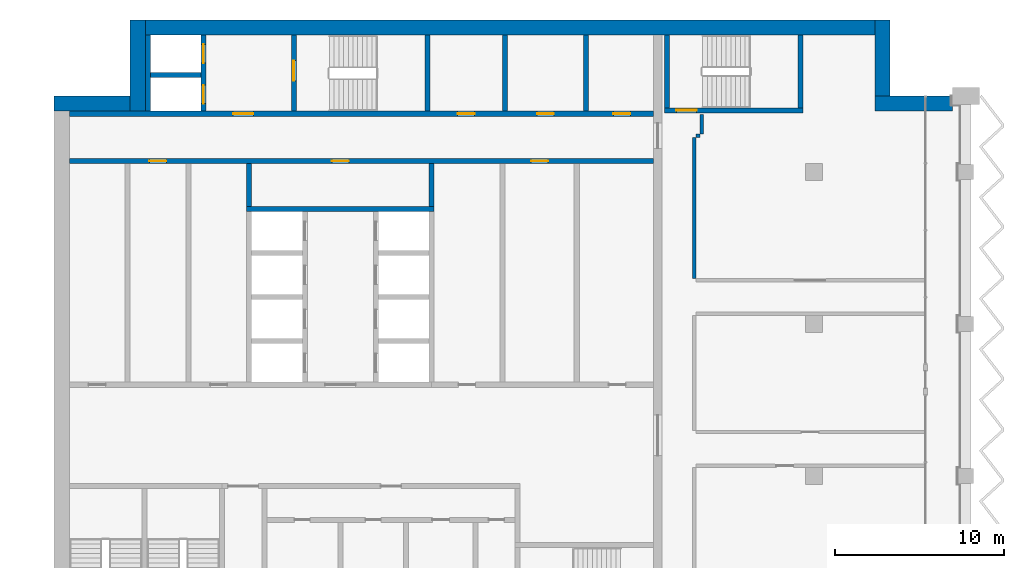
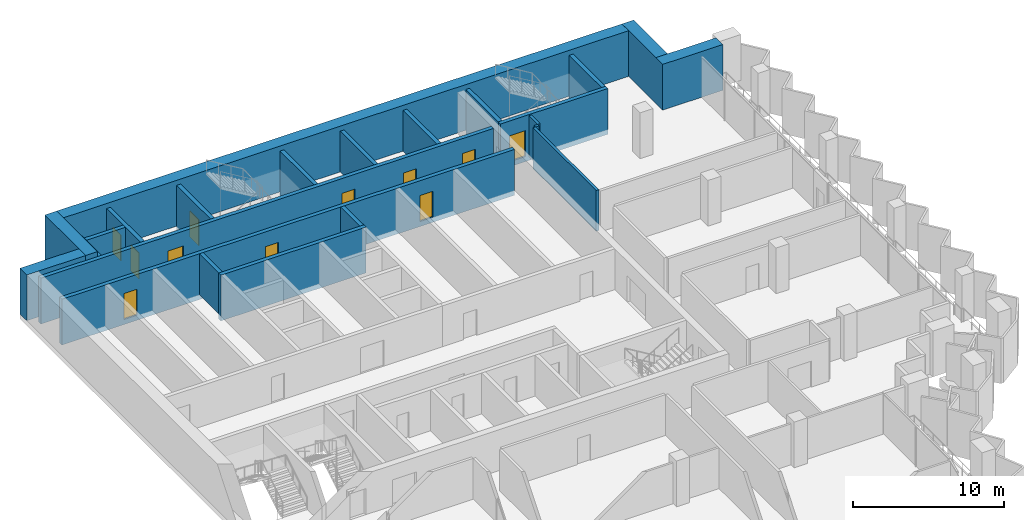
# One storey, part 10 of 16: 23 walls, 11 doors, 11 openings.
"""IFC4 building model written with IfcOpenShell, lengths in metres."""

from ifc_helpers import new_model, si_unit, direction, frame, frame_2d, origin, place, context, subcontext, project, spatial, rectangle, extrude, material, layer, layer_set, type_object, element, fill, save


model = new_model("IFC4")

# Units and contexts
model_context = context("Model", 3, precision=1e-05, world=origin(), true_north=direction((0.0, 1.0)))
body_context = subcontext(model_context, "Body", "Model", "MODEL_VIEW")
ifc_project = project(units=[si_unit("LENGTHUNIT", "METRE"), si_unit("AREAUNIT", "SQUARE_METRE"), si_unit("VOLUMEUNIT", "CUBIC_METRE"), si_unit("PLANEANGLEUNIT", "RADIAN"), si_unit("MASSUNIT", "GRAM", prefix="KILO")], contexts=[model_context])

# Site, building, storey
site_placement = place(None, origin())
site = spatial("IfcSite", under=ifc_project, at=site_placement, CompositionType="ELEMENT")
building_placement = place(site_placement, origin())
building = spatial("IfcBuilding", under=site, at=building_placement, Name="Hunhe Ridgeline Campus", CompositionType="ELEMENT")
storey_placement = place(building_placement, frame((0.0, 0.0, 242.89990234375)))
storey = spatial("IfcBuildingStorey", under=building, at=storey_placement, Name="L62", CompositionType="ELEMENT", Elevation=242.89990234375)

# Walls
ifc_material_1 = material(Name="Masonry concrete blockwork", Category="masonry")
ifc_layer_1 = layer(ifc_material_1, 0.300048828125)
ifc_layer_set_1 = layer_set([ifc_layer_1], Name="Core room partition 300 concrete block")
wall_type_1 = type_object("IfcWallType", Name="Core room partition 300 concrete block", PredefinedType="PARTITIONING", material=ifc_layer_set_1)
for number, where, z_axis, x_axis, name in (
    (1, (11.550048828125, 87.949951171875, 0.0), (0.0, 0.0, 1.0), (0.0, 1.0, 0.0), "L62 core partition 31"),
    (2, (22.35009765625, 87.949951171875, 0.0), (0.0, 0.0, 1.0), (0.0, 1.0, 0.0), "L62 core partition 41"),
):
    element("IfcWall", number, at=place(storey_placement, frame(where, z_axis=z_axis, x_axis=x_axis)), inside=storey, type_object=wall_type_1, Name=name, PredefinedType="PARTITIONING", context=body_context, shape_type="SweptSolid", body=[
        extrude(rectangle(XDim=2.550048828125, YDim=0.300048828125, at=frame_2d((1.27490234375, 0.0))), origin(), (0.0, 0.0, 1.0), 3.300048828125),
    ])
for number, where, z_axis, x_axis, name in (
    (3, (26.699951171875, 93.60009765625, 0.0), (0.0, 0.0, 1.0), (0.0, 1.0, 0.0), "L62 core partition 45"),
    (4, (31.5, 93.60009765625, 0.0), (0.0, 0.0, 1.0), (0.0, 1.0, 0.0), "L62 core partition 49"),
):
    element("IfcWall", number, at=place(storey_placement, frame(where, z_axis=z_axis, x_axis=x_axis)), inside=storey, type_object=wall_type_1, Name=name, PredefinedType="PARTITIONING", context=body_context, shape_type="SweptSolid", body=[
        extrude(rectangle(XDim=4.5, YDim=0.300048828125, at=frame_2d((2.25, 0.0))), origin(), (0.0, 0.0, 1.0), 3.300048828125),
    ])
ifc_material_2 = material(Name="Gypsum board partition")
ifc_layer_2 = layer(ifc_material_2, 0.199951171875)
ifc_layer_set_2 = layer_set([ifc_layer_2], Name="Corridor partition 200 gypsum board on steel studs")
wall_type_2 = type_object("IfcWallType", Name="Corridor partition 200 gypsum board on steel studs", PredefinedType="PARTITIONING", material=ifc_layer_set_2)
wall_1_placement = place(storey_placement, frame((38.25, 92.14990234375, 0.0), z_axis=(0.0, 0.0, 1.0), x_axis=(-1.0, 0.0, 0.0)))
element("IfcWall", 5, at=wall_1_placement, inside=storey, type_object=wall_type_2, Name="F-L62-wall-032", PredefinedType="PARTITIONING", context=body_context, shape_type="SweptSolid", body=[
    extrude(rectangle(XDim=0.25, YDim=0.199951171875, at=frame_2d((0.125, 0.0))), origin(), (0.0, 0.0, 1.0), 3.300048828125),
])
wall_2_placement = place(storey_placement, frame((37.89990234375, 92.050048828125, 0.0), z_axis=(0.0, 0.0, 1.0), x_axis=(0.0, -1.0, 0.0)))
element("IfcWall", 6, at=wall_2_placement, inside=storey, type_object=wall_type_2, Name="F-L62-wall-041", PredefinedType="PARTITIONING", context=body_context, shape_type="SweptSolid", body=[
    extrude(rectangle(XDim=8.35009765625, YDim=0.199951171875, at=frame_2d((4.175048828125, 0.0))), origin(), (0.0, 0.0, 1.0), 3.300048828125),
])
wall_3_placement = place(storey_placement, frame((38.35009765625, 93.39599609375, 0.0), z_axis=(0.0, 0.0, 1.0), x_axis=(0.0, -1.0, 0.0)))
element("IfcWall", 7, at=wall_3_placement, inside=storey, type_object=wall_type_2, Name="F-L62-wall-042", PredefinedType="PARTITIONING", context=body_context, shape_type="SweptSolid", body=[
    extrude(rectangle(XDim=1.14599609375, YDim=0.199951171875, at=frame_2d((0.572998046875, 0.0))), origin(), (0.0, 0.0, 1.0), 3.300048828125),
])

# Wall, openings, doors
ifc_material_3 = material(Name="Concrete C50", Category="concrete")
ifc_layer_3 = layer(ifc_material_3, 0.300048828125)
ifc_layer_set_3 = layer_set([ifc_layer_3], Name="Lobby wall 300 reinforced concrete C50")
wall_type_3 = type_object("IfcWallType", Name="Lobby wall 300 reinforced concrete C50", PredefinedType="SOLIDWALL", material=ifc_layer_set_3)
wall_4_placement = place(storey_placement, frame((0.89990234375, 90.64990234375, -0.39990234375), z_axis=(0.0, 0.0, 1.0), x_axis=(1.0, 0.0, 0.0)))
wall_4 = element("IfcWall", 8, at=wall_4_placement, inside=storey, type_object=wall_type_3, Name="L62 core wall 19", PredefinedType="SOLIDWALL", context=body_context, shape_type="SweptSolid", body=[
    extrude(rectangle(XDim=34.60009765625, YDim=0.300048828125, at=frame_2d((17.300048828125, 0.0))), origin(), (0.0, 0.0, 1.0), 3.699951171875),
])
opening_1_placement = place(wall_4_placement, frame((15.550048828125, 0.0, 0.39990234375)))
opening_1 = element("IfcOpeningElement", 9, at=opening_1_placement, cuts=wall_4, Name="Opening CD26", PredefinedType="OPENING", context=body_context, shape_type="SweptSolid", body=[
    extrude(rectangle(XDim=1.0, YDim=2.10009765625, at=frame_2d((0.5, 1.050048828125))), frame((0.0, 0.14990234375, 0.0), z_axis=(0.0, -1.0, 0.0), x_axis=(1.0, 0.0, 0.0)), (0.0, 0.0, 1.0), 0.300048828125),
])
opening_2_placement = place(wall_4_placement, frame((4.75, 0.0, 0.39990234375)))
opening_2 = element("IfcOpeningElement", 10, at=opening_2_placement, cuts=wall_4, Name="Opening CD40", PredefinedType="OPENING", context=body_context, shape_type="SweptSolid", body=[
    extrude(rectangle(XDim=1.0, YDim=2.10009765625, at=frame_2d((0.5, 1.050048828125))), frame((0.0, 0.14990234375, 0.0), z_axis=(0.0, -1.0, 0.0), x_axis=(1.0, 0.0, 0.0)), (0.0, 0.0, 1.0), 0.300048828125),
])
opening_3_placement = place(wall_4_placement, frame((27.35009765625, 0.0, 0.39990234375)))
opening_3 = element("IfcOpeningElement", 11, at=opening_3_placement, cuts=wall_4, Name="Opening CD33", PredefinedType="OPENING", context=body_context, shape_type="SweptSolid", body=[
    extrude(rectangle(XDim=1.0, YDim=2.10009765625, at=frame_2d((0.5, 1.050048828125))), frame((0.0, 0.14990234375, 0.0), z_axis=(0.0, -1.0, 0.0), x_axis=(1.0, 0.0, 0.0)), (0.0, 0.0, 1.0), 0.300048828125),
])
ifc_material_4 = material(Name="Solid core timber door leaf", Category="wood")
door_type_1 = type_object("IfcDoorType", Name="Timber door 1000x2100", OperationType="SINGLE_SWING_LEFT", PredefinedType="DOOR", material=ifc_material_4)
door_1_placement = place(opening_1_placement, frame((1.0, 0.0, 0.0), z_axis=(0.0, 0.0, 1.0), x_axis=(-1.0, 0.0, 0.0)))
door_1 = element("IfcDoor", 12, at=door_1_placement, inside=storey, type_object=door_type_1, Name="L62 door NR-0", OperationType="SINGLE_SWING_RIGHT", OverallHeight=2.10009765625, OverallWidth=1.0, PredefinedType="DOOR", context=body_context, shape_type="SweptSolid", body=[
    extrude(rectangle(XDim=1.0, YDim=2.10009765625, at=frame_2d((0.5, 1.050048828125))), frame((0.0, 0.02490234375, 0.0), z_axis=(0.0, -1.0, 0.0), x_axis=(1.0, 0.0, 0.0)), (0.0, 0.0, 1.0), 0.050048828125),
])
fill(opening_1, door_1)
door_2_placement = place(opening_2_placement, frame((1.0, 0.0, 0.0), z_axis=(0.0, 0.0, 1.0), x_axis=(-1.0, 0.0, 0.0)))
door_2 = element("IfcDoor", 13, at=door_2_placement, inside=storey, type_object=door_type_1, Name="L62 door VD-LR1", OperationType="SINGLE_SWING_RIGHT", OverallHeight=2.10009765625, OverallWidth=1.0, PredefinedType="DOOR", context=body_context, shape_type="SweptSolid", body=[
    extrude(rectangle(XDim=1.0, YDim=2.10009765625, at=frame_2d((0.5, 1.050048828125))), frame((0.0, 0.02490234375, 0.0), z_axis=(0.0, -1.0, 0.0), x_axis=(1.0, 0.0, 0.0)), (0.0, 0.0, 1.0), 0.050048828125),
])
fill(opening_2, door_2)
door_3_placement = place(opening_3_placement, frame((1.0, 0.0, 0.0), z_axis=(0.0, 0.0, 1.0), x_axis=(-1.0, 0.0, 0.0)))
door_3 = element("IfcDoor", 14, at=door_3_placement, inside=storey, type_object=door_type_1, Name="L62 door ES1", OperationType="SINGLE_SWING_RIGHT", OverallHeight=2.10009765625, OverallWidth=1.0, PredefinedType="DOOR", context=body_context, shape_type="SweptSolid", body=[
    extrude(rectangle(XDim=1.0, YDim=2.10009765625, at=frame_2d((0.5, 1.050048828125))), frame((0.0, 0.02490234375, 0.0), z_axis=(0.0, -1.0, 0.0), x_axis=(1.0, 0.0, 0.0)), (0.0, 0.0, 1.0), 0.050048828125),
])
fill(opening_3, door_3)

# Wall
ifc_layer_4 = layer(ifc_material_3, 0.300048828125)
ifc_layer_set_4 = layer_set([ifc_layer_4], Name="Shaft wall 300 reinforced concrete C50")
wall_type_4 = type_object("IfcWallType", Name="Shaft wall 300 reinforced concrete C50", PredefinedType="SOLIDWALL", material=ifc_layer_set_4)
wall_5_placement = place(storey_placement, frame((11.39990234375, 87.800048828125, -0.39990234375), z_axis=(0.0, 0.0, 1.0), x_axis=(1.0, 0.0, 0.0)))
element("IfcWall", 15, at=wall_5_placement, inside=storey, type_object=wall_type_4, Name="L62 core wall 18", PredefinedType="SOLIDWALL", context=body_context, shape_type="SweptSolid", body=[
    extrude(rectangle(XDim=11.10009765625, YDim=0.300048828125, at=frame_2d((5.550048828125, 0.0))), origin(), (0.0, 0.0, 1.0), 3.699951171875),
])

# Wall, openings, doors
wall_6_placement = place(storey_placement, frame((0.89990234375, 93.449951171875, -0.39990234375), z_axis=(0.0, 0.0, 1.0), x_axis=(1.0, 0.0, 0.0)))
wall_6 = element("IfcWall", 16, at=wall_6_placement, inside=storey, type_object=wall_type_4, Name="L62 core wall 20", PredefinedType="SOLIDWALL", context=body_context, shape_type="SweptSolid", body=[
    extrude(rectangle(XDim=34.60009765625, YDim=0.300048828125, at=frame_2d((17.300048828125, 0.0))), origin(), (0.0, 0.0, 1.0), 3.699951171875),
])
opening_4_placement = place(wall_6_placement, frame((9.699951171875, 0.0, 0.39990234375)))
opening_4 = element("IfcOpeningElement", 17, at=opening_4_placement, cuts=wall_6, Name="Opening CD3", PredefinedType="OPENING", context=body_context, shape_type="SweptSolid", body=[
    extrude(rectangle(XDim=1.199951171875, YDim=2.10009765625, at=frame_2d((0.60009765625, 1.050048828125))), frame((0.0, 0.14990234375, 0.0), z_axis=(0.0, -1.0, 0.0), x_axis=(1.0, 0.0, 0.0)), (0.0, 0.0, 1.0), 0.300048828125),
])
opening_5_placement = place(wall_6_placement, frame((23.0, 0.0, 0.39990234375)))
opening_5 = element("IfcOpeningElement", 18, at=opening_5_placement, cuts=wall_6, Name="Opening CD34", PredefinedType="OPENING", context=body_context, shape_type="SweptSolid", body=[
    extrude(rectangle(XDim=1.0, YDim=2.10009765625, at=frame_2d((0.5, 1.050048828125))), frame((0.0, 0.14990234375, 0.0), z_axis=(0.0, -1.0, 0.0), x_axis=(1.0, 0.0, 0.0)), (0.0, 0.0, 1.0), 0.300048828125),
])
opening_6_placement = place(wall_6_placement, frame((27.699951171875, 0.0, 0.39990234375)))
opening_6 = element("IfcOpeningElement", 19, at=opening_6_placement, cuts=wall_6, Name="Opening CD35", PredefinedType="OPENING", context=body_context, shape_type="SweptSolid", body=[
    extrude(rectangle(XDim=1.0, YDim=2.10009765625, at=frame_2d((0.5, 1.050048828125))), frame((0.0, 0.14990234375, 0.0), z_axis=(0.0, -1.0, 0.0), x_axis=(1.0, 0.0, 0.0)), (0.0, 0.0, 1.0), 0.300048828125),
])
opening_7_placement = place(wall_6_placement, frame((32.22509765625, 0.0, 0.39990234375)))
opening_7 = element("IfcOpeningElement", 20, at=opening_7_placement, cuts=wall_6, Name="Opening CD36", PredefinedType="OPENING", context=body_context, shape_type="SweptSolid", body=[
    extrude(rectangle(XDim=1.0, YDim=2.10009765625, at=frame_2d((0.5, 1.050048828125))), frame((0.0, 0.14990234375, 0.0), z_axis=(0.0, -1.0, 0.0), x_axis=(1.0, 0.0, 0.0)), (0.0, 0.0, 1.0), 0.300048828125),
])
ifc_material_5 = material(Name="Hollow metal fire door leaf")
door_type_2 = type_object("IfcDoorType", Name="Lobby door 1200x2100 FD60", OperationType="SINGLE_SWING_LEFT", PredefinedType="DOOR", material=ifc_material_5)
door_4_placement = place(opening_4_placement, frame((1.199951171875, 0.0, 0.0), z_axis=(0.0, 0.0, 1.0), x_axis=(-1.0, 0.0, 0.0)))
door_4 = element("IfcDoor", 21, at=door_4_placement, inside=storey, type_object=door_type_2, Name="L62 door FF-C1", OperationType="SINGLE_SWING_RIGHT", OverallHeight=2.10009765625, OverallWidth=1.199951171875, PredefinedType="DOOR", context=body_context, shape_type="SweptSolid", body=[
    extrude(rectangle(XDim=1.199951171875, YDim=2.10009765625, at=frame_2d((0.60009765625, 1.050048828125))), frame((0.0, 0.02490234375, 0.0), z_axis=(0.0, -1.0, 0.0), x_axis=(1.0, 0.0, 0.0)), (0.0, 0.0, 1.0), 0.050048828125),
])
fill(opening_4, door_4)
door_5_placement = place(opening_5_placement, origin())
door_5 = element("IfcDoor", 22, at=door_5_placement, inside=storey, type_object=door_type_1, Name="L62 door NB0", OperationType="SINGLE_SWING_LEFT", OverallHeight=2.10009765625, OverallWidth=1.0, PredefinedType="DOOR", context=body_context, shape_type="SweptSolid", body=[
    extrude(rectangle(XDim=1.0, YDim=2.10009765625, at=frame_2d((0.5, 1.050048828125))), frame((0.0, 0.02490234375, 0.0), z_axis=(0.0, -1.0, 0.0), x_axis=(1.0, 0.0, 0.0)), (0.0, 0.0, 1.0), 0.050048828125),
])
fill(opening_5, door_5)
door_6_placement = place(opening_6_placement, origin())
door_6 = element("IfcDoor", 23, at=door_6_placement, inside=storey, type_object=door_type_1, Name="L62 door NB1", OperationType="SINGLE_SWING_RIGHT", OverallHeight=2.10009765625, OverallWidth=1.0, PredefinedType="DOOR", context=body_context, shape_type="SweptSolid", body=[
    extrude(rectangle(XDim=1.0, YDim=2.10009765625, at=frame_2d((0.5, 1.050048828125))), frame((0.0, 0.02490234375, 0.0), z_axis=(0.0, -1.0, 0.0), x_axis=(1.0, 0.0, 0.0)), (0.0, 0.0, 1.0), 0.050048828125),
])
fill(opening_6, door_6)
door_7_placement = place(opening_7_placement, origin())
door_7 = element("IfcDoor", 24, at=door_7_placement, inside=storey, type_object=door_type_1, Name="L62 door NB2", OperationType="SINGLE_SWING_LEFT", OverallHeight=2.10009765625, OverallWidth=1.0, PredefinedType="DOOR", context=body_context, shape_type="SweptSolid", body=[
    extrude(rectangle(XDim=1.0, YDim=2.10009765625, at=frame_2d((0.5, 1.050048828125))), frame((0.0, 0.02490234375, 0.0), z_axis=(0.0, -1.0, 0.0), x_axis=(1.0, 0.0, 0.0)), (0.0, 0.0, 1.0), 0.050048828125),
])
fill(opening_7, door_7)

# Walls
wall_7_placement = place(storey_placement, frame((5.699951171875, 95.75, -0.39990234375), z_axis=(0.0, 0.0, 1.0), x_axis=(1.0, 0.0, 0.0)))
element("IfcWall", 25, at=wall_7_placement, inside=storey, type_object=wall_type_4, Name="L62 core wall 22", PredefinedType="SOLIDWALL", context=body_context, shape_type="SweptSolid", body=[
    extrude(rectangle(XDim=3.0, YDim=0.300048828125, at=frame_2d((1.5, 0.0))), origin(), (0.0, 0.0, 1.0), 3.699951171875),
])
wall_8_placement = place(storey_placement, frame((5.550048828125, 93.60009765625, -0.39990234375), z_axis=(0.0, 0.0, 1.0), x_axis=(0.0, 1.0, 0.0)))
element("IfcWall", 26, at=wall_8_placement, inside=storey, type_object=wall_type_4, Name="L62 core wall 25", PredefinedType="SOLIDWALL", context=body_context, shape_type="SweptSolid", body=[
    extrude(rectangle(XDim=4.5, YDim=0.300048828125, at=frame_2d((2.25, 0.0))), origin(), (0.0, 0.0, 1.0), 3.699951171875),
])

# Wall, openings, doors
wall_9_placement = place(storey_placement, frame((8.85009765625, 93.60009765625, -0.39990234375), z_axis=(0.0, 0.0, 1.0), x_axis=(0.0, 1.0, 0.0)))
wall_9 = element("IfcWall", 27, at=wall_9_placement, inside=storey, type_object=wall_type_4, Name="L62 core wall 28", PredefinedType="SOLIDWALL", context=body_context, shape_type="SweptSolid", body=[
    extrude(rectangle(XDim=4.5, YDim=0.300048828125, at=frame_2d((2.25, 0.0))), origin(), (0.0, 0.0, 1.0), 3.699951171875),
])
opening_8_placement = place(wall_9_placement, frame((0.449951171875, 0.0, 0.39990234375)))
opening_8 = element("IfcOpeningElement", 28, at=opening_8_placement, cuts=wall_9, Name="Opening LD-FF1", PredefinedType="OPENING", context=body_context, shape_type="SweptSolid", body=[
    extrude(rectangle(XDim=1.10009765625, YDim=2.10009765625, at=frame_2d((0.550048828125, 1.050048828125))), frame((0.0, 0.14990234375, 0.0), z_axis=(0.0, -1.0, 0.0), x_axis=(1.0, 0.0, 0.0)), (0.0, 0.0, 1.0), 0.300048828125),
])
opening_9_placement = place(wall_9_placement, frame((2.85009765625, 0.0, 0.39990234375)))
opening_9 = element("IfcOpeningElement", 29, at=opening_9_placement, cuts=wall_9, Name="Opening LD-FF2", PredefinedType="OPENING", context=body_context, shape_type="SweptSolid", body=[
    extrude(rectangle(XDim=1.10009765625, YDim=2.10009765625, at=frame_2d((0.550048828125, 1.050048828125))), frame((0.0, 0.14990234375, 0.0), z_axis=(0.0, -1.0, 0.0), x_axis=(1.0, 0.0, 0.0)), (0.0, 0.0, 1.0), 0.300048828125),
])
ifc_material_6 = material(Name="Stainless steel sliding leaves", Category="steel")
door_type_3 = type_object("IfcDoorType", Name="Landing door 1100x2100 FD120", OperationType="SLIDING_TO_LEFT", PredefinedType="DOOR", material=ifc_material_6)
door_8_placement = place(opening_8_placement, origin())
door_8 = element("IfcDoor", 30, at=door_8_placement, inside=storey, type_object=door_type_3, Name="L62 landing door FF1", OperationType="SLIDING_TO_RIGHT", OverallHeight=2.10009765625, OverallWidth=1.10009765625, PredefinedType="DOOR", context=body_context, shape_type="SweptSolid", body=[
    extrude(rectangle(XDim=1.10009765625, YDim=2.10009765625, at=frame_2d((0.550048828125, 1.050048828125))), frame((0.0, 0.02490234375, 0.0), z_axis=(0.0, -1.0, 0.0), x_axis=(1.0, 0.0, 0.0)), (0.0, 0.0, 1.0), 0.050048828125),
])
fill(opening_8, door_8)
door_9_placement = place(opening_9_placement, origin())
door_9 = element("IfcDoor", 31, at=door_9_placement, inside=storey, type_object=door_type_3, Name="L62 landing door FF2", OperationType="SLIDING_TO_LEFT", OverallHeight=2.10009765625, OverallWidth=1.10009765625, PredefinedType="DOOR", context=body_context, shape_type="SweptSolid", body=[
    extrude(rectangle(XDim=1.10009765625, YDim=2.10009765625, at=frame_2d((0.550048828125, 1.050048828125))), frame((0.0, 0.02490234375, 0.0), z_axis=(0.0, -1.0, 0.0), x_axis=(1.0, 0.0, 0.0)), (0.0, 0.0, 1.0), 0.050048828125),
])
fill(opening_9, door_9)

# Walls
ifc_material_7 = material(Name="Concrete C60", Category="concrete")
ifc_layer_5 = layer(ifc_material_7, 0.89990234375)
ifc_layer_set_5 = layer_set([ifc_layer_5], Name="Spine wall 900 Concrete C60")
wall_type_5 = type_object("IfcWallType", Name="Spine wall 900 Concrete C60", PredefinedType="SHEAR", material=ifc_layer_set_5)
wall_10_placement = place(storey_placement, frame((53.199951171875, 94.050048828125, 0.0), z_axis=(0.0, 0.0, 1.0), x_axis=(-1.0, 0.0, 0.0)))
element("IfcWall", 32, at=wall_10_placement, inside=storey, type_object=wall_type_5, Name="Spine wall SW3-2 L62", PredefinedType="SHEAR", context=body_context, shape_type="SweptSolid", body=[
    extrude(rectangle(XDim=4.599853515625, YDim=0.89990234375, at=frame_2d((2.2998046875, 0.0))), origin(), (0.0, 0.0, 1.0), 3.7001953125),
])
wall_11_placement = place(storey_placement, frame((49.050048828125, 93.60009765625, 0.0), z_axis=(0.0, 0.0, 1.0), x_axis=(0.0, 1.0, 0.0)))
element("IfcWall", 33, at=wall_11_placement, inside=storey, type_object=wall_type_5, Name="Spine wall SW3-3 L62", PredefinedType="SHEAR", context=body_context, shape_type="SweptSolid", body=[
    extrude(rectangle(XDim=5.39990234375, YDim=0.89990234375, at=frame_2d((2.699951171875, 0.0))), origin(), (0.0, 0.0, 1.0), 3.7001953125),
])
wall_12_placement = place(storey_placement, frame((49.5, 98.550048828125, 0.0), z_axis=(0.0, 0.0, 1.0), x_axis=(-1.0, 0.0, 0.0)))
element("IfcWall", 34, at=wall_12_placement, inside=storey, type_object=wall_type_5, Name="Spine wall SW3-4 L62", PredefinedType="SHEAR", context=body_context, shape_type="SweptSolid", body=[
    extrude(rectangle(XDim=45.0, YDim=0.89990234375, at=frame_2d((22.5, 0.0))), origin(), (0.0, 0.0, 1.0), 3.7001953125),
])
for number, where, z_axis, x_axis, name in (
    (35, (4.949951171875, 99.0, 0.0), (0.0, 0.0, 1.0), (0.0, -1.0, 0.0), "Spine wall SW3-5 L62"),
    (36, (5.400146484375, 94.050048828125, 0.0), (0.0, 0.0, 1.0), (-1.0, 0.0, 0.0), "Spine wall SW3-6 L62"),
):
    element("IfcWall", number, at=place(storey_placement, frame(where, z_axis=z_axis, x_axis=x_axis)), inside=storey, type_object=wall_type_5, Name=name, PredefinedType="SHEAR", context=body_context, shape_type="SweptSolid", body=[
        extrude(rectangle(XDim=5.400146484375, YDim=0.89990234375, at=frame_2d((2.7001953125, 0.0))), origin(), (0.0, 0.0, 1.0), 3.7001953125),
    ])

# Wall, opening, door
ifc_layer_6 = layer(ifc_material_3, 0.300048828125)
ifc_layer_set_6 = layer_set([ifc_layer_6], Name="Stair wall 300 reinforced concrete C50")
wall_type_6 = type_object("IfcWallType", Name="Stair wall 300 reinforced concrete C50", PredefinedType="SOLIDWALL", material=ifc_layer_set_6)
wall_13_placement = place(storey_placement, frame((36.14990234375, 93.64990234375, -0.39990234375), z_axis=(0.0, 0.0, 1.0), x_axis=(1.0, 0.0, 0.0)))
wall_13 = element("IfcWall", 37, at=wall_13_placement, inside=storey, type_object=wall_type_6, Name="L62 core wall 21", PredefinedType="SOLIDWALL", context=body_context, shape_type="SweptSolid", body=[
    extrude(rectangle(XDim=8.2001953125, YDim=0.300048828125, at=frame_2d((4.10009765625, 0.0))), origin(), (0.0, 0.0, 1.0), 3.699951171875),
])
opening_10_placement = place(wall_13_placement, frame((0.699951171875, 0.0, 0.39990234375)))
opening_10 = element("IfcOpeningElement", 38, at=opening_10_placement, cuts=wall_13, Name="Opening CD17", PredefinedType="OPENING", context=body_context, shape_type="SweptSolid", body=[
    extrude(rectangle(XDim=1.199951171875, YDim=2.10009765625, at=frame_2d((0.60009765625, 1.050048828125))), frame((0.0, 0.14990234375, 0.0), z_axis=(0.0, -1.0, 0.0), x_axis=(1.0, 0.0, 0.0)), (0.0, 0.0, 1.0), 0.300048828125),
])
door_type_4 = type_object("IfcDoorType", Name="Stair door 1200x2100 FD60", OperationType="SINGLE_SWING_LEFT", PredefinedType="DOOR", material=ifc_material_5)
door_10_placement = place(opening_10_placement, frame((1.199951171875, 0.0, 0.0), z_axis=(0.0, 0.0, 1.0), x_axis=(-1.0, 0.0, 0.0)))
door_10 = element("IfcDoor", 39, at=door_10_placement, inside=storey, type_object=door_type_4, Name="L62 door E1", OperationType="SINGLE_SWING_LEFT", OverallHeight=2.10009765625, OverallWidth=1.199951171875, PredefinedType="DOOR", context=body_context, shape_type="SweptSolid", body=[
    extrude(rectangle(XDim=1.199951171875, YDim=2.10009765625, at=frame_2d((0.60009765625, 1.050048828125))), frame((0.0, 0.02490234375, 0.0), z_axis=(0.0, -1.0, 0.0), x_axis=(1.0, 0.0, 0.0)), (0.0, 0.0, 1.0), 0.050048828125),
])
fill(opening_10, door_10)

wall_14_placement = place(storey_placement, frame((14.199951171875, 93.60009765625, -0.39990234375), z_axis=(0.0, 0.0, 1.0), x_axis=(0.0, 1.0, 0.0)))
wall_14 = element("IfcWall", 40, at=wall_14_placement, inside=storey, type_object=wall_type_6, Name="L62 core wall 33", PredefinedType="SOLIDWALL", context=body_context, shape_type="SweptSolid", body=[
    extrude(rectangle(XDim=4.5, YDim=0.300048828125, at=frame_2d((2.25, 0.0))), origin(), (0.0, 0.0, 1.0), 3.699951171875),
])
opening_11_placement = place(wall_14_placement, frame((1.800048828125, 0.0, 0.39990234375)))
opening_11 = element("IfcOpeningElement", 41, at=opening_11_placement, cuts=wall_14, Name="Opening CD16", PredefinedType="OPENING", context=body_context, shape_type="SweptSolid", body=[
    extrude(rectangle(XDim=1.199951171875, YDim=2.10009765625, at=frame_2d((0.60009765625, 1.050048828125))), frame((0.0, 0.14990234375, 0.0), z_axis=(0.0, -1.0, 0.0), x_axis=(1.0, 0.0, 0.0)), (0.0, 0.0, 1.0), 0.300048828125),
])
door_11_placement = place(opening_11_placement, origin())
door_11 = element("IfcDoor", 42, at=door_11_placement, inside=storey, type_object=door_type_4, Name="L62 door S1-FF", OperationType="SINGLE_SWING_RIGHT", OverallHeight=2.10009765625, OverallWidth=1.199951171875, PredefinedType="DOOR", context=body_context, shape_type="SweptSolid", body=[
    extrude(rectangle(XDim=1.199951171875, YDim=2.10009765625, at=frame_2d((0.60009765625, 1.050048828125))), frame((0.0, 0.02490234375, 0.0), z_axis=(0.0, -1.0, 0.0), x_axis=(1.0, 0.0, 0.0)), (0.0, 0.0, 1.0), 0.050048828125),
])
fill(opening_11, door_11)

# Walls
wall_15_placement = place(storey_placement, frame((22.10009765625, 93.60009765625, -0.39990234375), z_axis=(0.0, 0.0, 1.0), x_axis=(0.0, 1.0, 0.0)))
element("IfcWall", 43, at=wall_15_placement, inside=storey, type_object=wall_type_6, Name="L62 core wall 39", PredefinedType="SOLIDWALL", context=body_context, shape_type="SweptSolid", body=[
    extrude(rectangle(XDim=4.5, YDim=0.300048828125, at=frame_2d((2.25, 0.0))), origin(), (0.0, 0.0, 1.0), 3.699951171875),
])
for number, where, z_axis, x_axis, name in (
    (44, (36.300048828125, 93.800048828125, -0.39990234375), (0.0, 0.0, 1.0), (0.0, 1.0, 0.0), "L62 core wall 51"),
    (45, (44.199951171875, 93.800048828125, -0.39990234375), (0.0, 0.0, 1.0), (0.0, 1.0, 0.0), "L62 core wall 52"),
):
    element("IfcWall", number, at=place(storey_placement, frame(where, z_axis=z_axis, x_axis=x_axis)), inside=storey, type_object=wall_type_6, Name=name, PredefinedType="SOLIDWALL", context=body_context, shape_type="SweptSolid", body=[
        extrude(rectangle(XDim=4.300048828125, YDim=0.300048828125, at=frame_2d((2.14990234375, 0.0))), origin(), (0.0, 0.0, 1.0), 3.699951171875),
    ])

save(model, "model.ifc")
